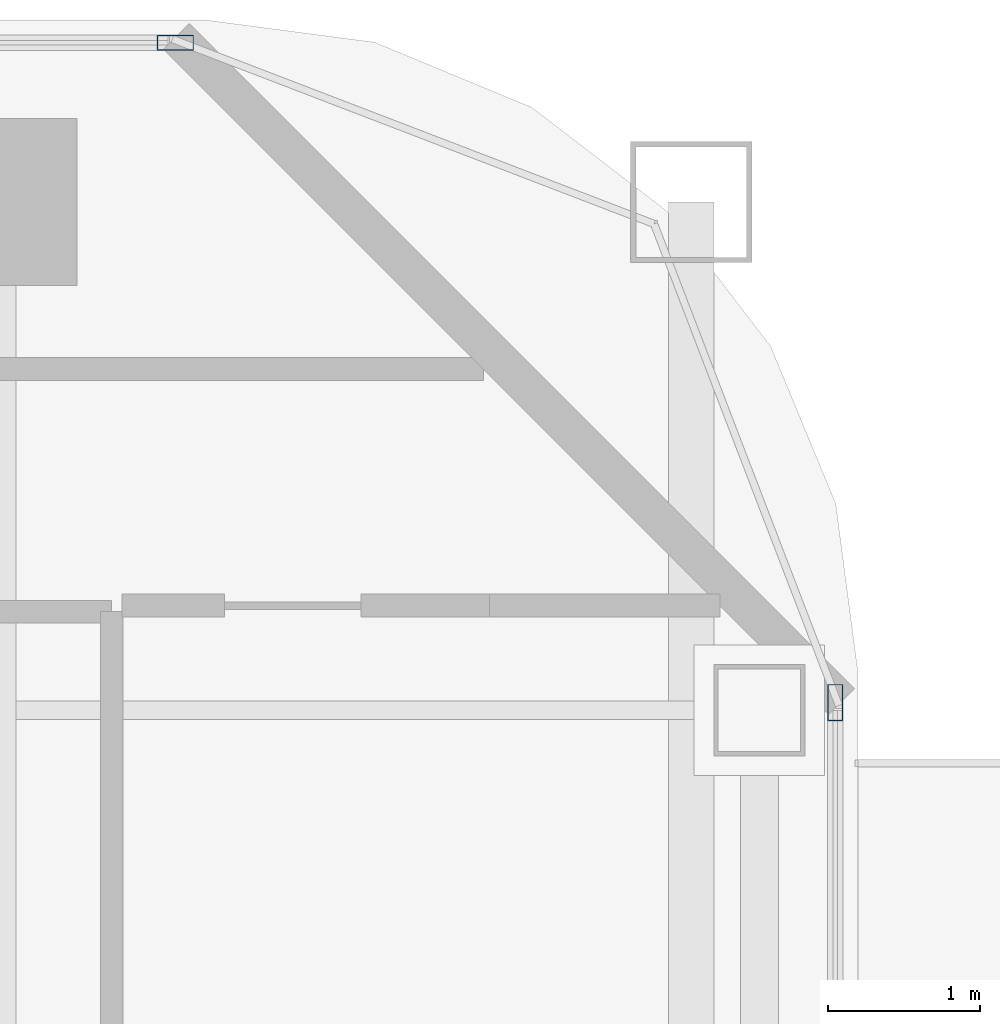
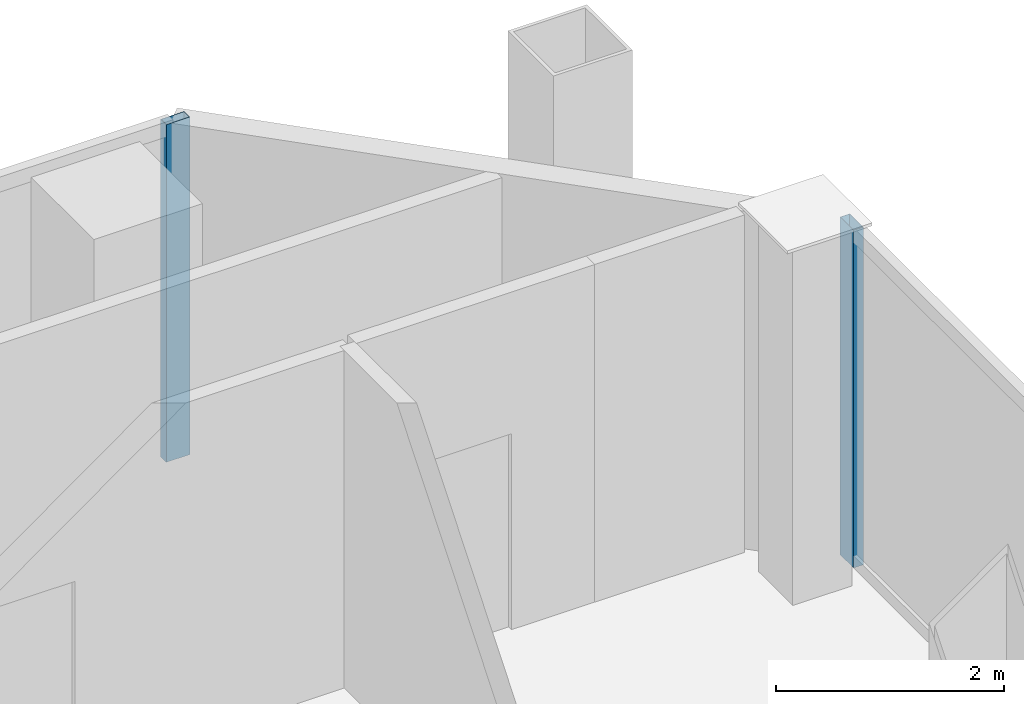
# One storey, part 15 of 24: 2 members, 2 elements without a shape of their own.
"""IFC4 building model written with IfcOpenShell, lengths in metres."""

from ifc_helpers import new_model, si_unit, direction, frame, origin, origin_2d, place, context, subcontext, project, spatial, hollow_rectangle, extrude, material, layer, layer_set, material_profile, profile_set, type_object, element, aggregate, save


model = new_model("IFC4")

# Units and contexts
model_context = context("Model", 3, precision=1e-05, world=origin(), true_north=direction((0.0, 1.0)))
body_context = subcontext(model_context, "Body", "Model", "MODEL_VIEW")
ifc_project = project(units=[si_unit("LENGTHUNIT", "METRE"), si_unit("AREAUNIT", "SQUARE_METRE"), si_unit("VOLUMEUNIT", "CUBIC_METRE"), si_unit("PLANEANGLEUNIT", "RADIAN"), si_unit("MASSUNIT", "GRAM", prefix="KILO")], contexts=[model_context])

# Site, building, storey
site_placement = place(None, origin())
site = spatial("IfcSite", under=ifc_project, at=site_placement, CompositionType="ELEMENT")
building_placement = place(site_placement, origin())
building = spatial("IfcBuilding", under=site, at=building_placement, Name="Khorvyn Point Tower", CompositionType="ELEMENT")
storey_placement = place(building_placement, frame((0.0, 0.0, 215.699951171875)))
storey = spatial("IfcBuildingStorey", under=building, at=storey_placement, Name="L53", CompositionType="ELEMENT", Elevation=215.699951171875)

# Curtain wall, member
ifc_material_1 = material(Name="Anodised aluminium 6063-T6 and laminated Low-E glass", Category="aluminium")
ifc_layer = layer(ifc_material_1, 0.18994140625)
ifc_layer_set = layer_set([ifc_layer], Name="Stick-Built Acoustic Curtain Wall CW-SYS-03")
curtain_wall_type = type_object("IfcCurtainWallType", Name="Stick-Built Acoustic Curtain Wall CW-SYS-03", PredefinedType="NOTDEFINED", material=ifc_layer_set)
curtain_wall_1_placement = place(storey_placement, origin())
curtain_wall_1 = element("IfcCurtainWall", 1, at=curtain_wall_1_placement, inside=storey, type_object=curtain_wall_type, Name="Curtain Wall", PredefinedType="NOTDEFINED")
ifc_material_2 = material(Name="Anodised aluminium 6063-T6", Category="aluminium")
ifc_material_profile = material_profile(ifc_material_2, hollow_rectangle(XDim=0.10009765625, YDim=0.239990234375, WallThickness=0.0048828125, at=origin_2d()))
ifc_profile_set = profile_set([ifc_material_profile], Name="Anodised aluminium 6063-T6 ALU-MUL-100x240")
member_type = type_object("IfcMemberType", Name="Anodised Aluminium 6063-T6 Mullion ALU-MUL-100x240", PredefinedType="MULLION", material=ifc_profile_set)
member_1_placement = place(storey_placement, frame((16.0, 15.85009765625, 0.0), z_axis=(0.0, 0.0, 1.0), x_axis=(0.0, 1.0, 0.0)))
member_1 = element("IfcMember", 2, at=member_1_placement, type_object=member_type, Name="Transom", PredefinedType="MULLION", context=body_context, shape_type="SweptSolid", body=[
    extrude(hollow_rectangle(XDim=0.10009765625, YDim=0.239990234375, WallThickness=0.0048828125, at=origin_2d()), origin(), (0.0, 0.0, 1.0), 3.6201171875),
])
aggregate(curtain_wall_1, [member_1])

curtain_wall_2_placement = place(storey_placement, origin())
curtain_wall_2 = element("IfcCurtainWall", 3, at=curtain_wall_2_placement, inside=storey, type_object=curtain_wall_type, Name="Curtain Wall", PredefinedType="NOTDEFINED")
member_2_placement = place(storey_placement, frame((20.35009765625, 11.5, 0.0), z_axis=(0.0, 0.0, 1.0), x_axis=(1.0, 0.0, 0.0)))
member_2 = element("IfcMember", 4, at=member_2_placement, type_object=member_type, Name="Transom", PredefinedType="MULLION", context=body_context, shape_type="SweptSolid", body=[
    extrude(hollow_rectangle(XDim=0.10009765625, YDim=0.239990234375, WallThickness=0.0048828125, at=origin_2d()), origin(), (0.0, 0.0, 1.0), 3.6201171875),
])
aggregate(curtain_wall_2, [member_2])

save(model, "model.ifc")
